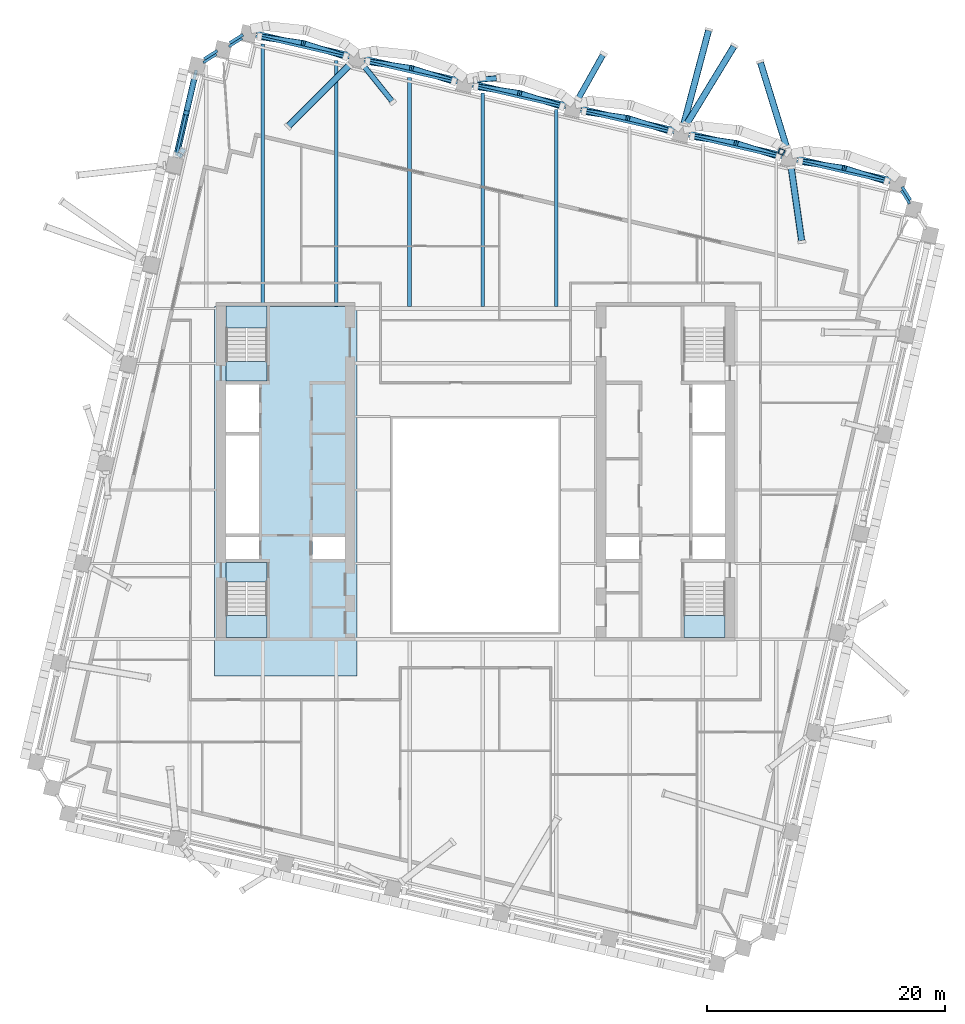
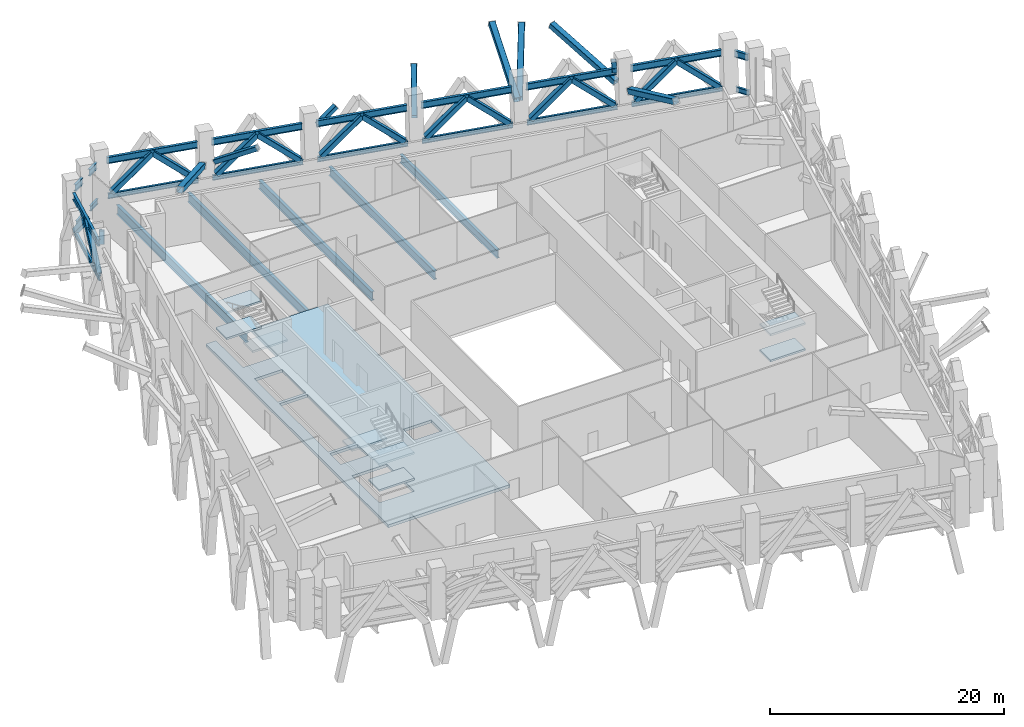
# One storey, part 4 of 20: 25 beams, 24 members, 9 slabs, 3 elements without a shape of their own.
"""IFC4 building model written with IfcOpenShell, lengths in metres."""

from ifc_helpers import new_model, si_unit, direction, frame, origin, origin_2d, place, context, subcontext, project, spatial, polyline, hollow_rectangle, i_section, outline, extrude, material, layer, layer_set, material_profile, profile_set, type_object, element, aggregate, save


model = new_model("IFC4")

# Units and contexts
model_context = context("Model", 3, precision=1e-05, world=origin(), true_north=direction((0.0, 1.0)))
body_context = subcontext(model_context, "Body", "Model", "MODEL_VIEW")
ifc_project = project(units=[si_unit("LENGTHUNIT", "METRE"), si_unit("AREAUNIT", "SQUARE_METRE"), si_unit("VOLUMEUNIT", "CUBIC_METRE"), si_unit("PLANEANGLEUNIT", "RADIAN"), si_unit("MASSUNIT", "GRAM", prefix="KILO")], contexts=[model_context])

# Site, building, storey
site_placement = place(None, origin())
site = spatial("IfcSite", under=ifc_project, at=site_placement, CompositionType="ELEMENT")
building_placement = place(site_placement, origin())
building = spatial("IfcBuilding", under=site, at=building_placement, Name="Ogive Exchange Tower", CompositionType="ELEMENT")
storey_placement = place(building_placement, frame((0.0, 0.0, 160.199951171875)))
storey = spatial("IfcBuildingStorey", under=building, at=storey_placement, Name="L35", CompositionType="ELEMENT", Elevation=160.199951171875)

# Beams
ifc_material_1 = material(Name="Steel ASTM A992 Gr50", Category="steel")
ifc_material_profile_1 = material_profile(ifc_material_1, i_section(OverallWidth=0.2099609375, OverallDepth=0.535888671875, WebThickness=0.010986328125, FlangeThickness=0.017333984375, at=origin_2d()), Name="W530x101")
ifc_profile_set_1 = profile_set([ifc_material_profile_1], Name="Steel ASTM A992 Gr50")
beam_type_1 = type_object("IfcBeamType", Name="Belt truss bottom chord W530x101", PredefinedType="BEAM", material=ifc_profile_set_1)
beam_1_placement = place(storey_placement, frame((36.55029296875, 34.06787109375, 0.400146484375), z_axis=(-0.529931776808, 0.848040277303, 0.0), x_axis=(-0.848040277303, -0.529931776808, 0.0)))
element("IfcBeam", 1, at=beam_1_placement, inside=storey, type_object=beam_type_1, Name="Belt truss bottom chord 17", PredefinedType="BEAM", context=body_context, shape_type="SweptSolid", body=[
    extrude(i_section(OverallWidth=0.2099609375, OverallDepth=0.535888671875, WebThickness=0.010986328125, FlangeThickness=0.017333984375, at=origin_2d()), origin(), (0.0, 0.0, 1.0), 1.30712890625),
])
for number, where, z_axis, x_axis, name in (
    (2, (34.915771484375, 35.84326171875, 0.400146484375), (-0.974371864918, 0.224943256972, 0.0), (-0.224943256972, -0.974371864918, 0.0), "Belt truss bottom chord 18"),
    (3, (25.805419921875, 37.946533203125, 0.400146484375), (-0.974371864918, 0.224943256972, 0.0), (-0.224943256972, -0.974371864918, 0.0), "Belt truss bottom chord 19"),
    (4, (16.695068359375, 40.0498046875, 0.400146484375), (-0.974371864918, 0.224943256972, 0.0), (-0.224943256972, -0.974371864918, 0.0), "Belt truss bottom chord 20"),
    (5, (7.584716796875, 42.153076171875, 0.400146484375), (-0.974371864918, 0.224943256972, 0.0), (-0.224943256972, -0.974371864918, 0.0), "Belt truss bottom chord 21"),
):
    element("IfcBeam", number, at=place(storey_placement, frame(where, z_axis=z_axis, x_axis=x_axis)), inside=storey, type_object=beam_type_1, Name=name, PredefinedType="BEAM", context=body_context, shape_type="SweptSolid", body=[
        extrude(i_section(OverallWidth=0.2099609375, OverallDepth=0.535888671875, WebThickness=0.010986328125, FlangeThickness=0.017333984375, at=origin_2d()), origin(), (0.0, 0.0, 1.0), 8.090087890625),
    ])
beam_2_placement = place(storey_placement, frame((-1.52587890625, 44.25634765625, 0.400146484375), z_axis=(-0.974370337884, 0.224949871421, 0.0), x_axis=(-0.224949871421, -0.974370337884, 0.0)))
element("IfcBeam", 6, at=beam_2_placement, inside=storey, type_object=beam_type_1, Name="Belt truss bottom chord 22", PredefinedType="BEAM", context=body_context, shape_type="SweptSolid", body=[
    extrude(i_section(OverallWidth=0.2099609375, OverallDepth=0.535888671875, WebThickness=0.010986328125, FlangeThickness=0.017333984375, at=origin_2d()), origin(), (0.0, 0.0, 1.0), 8.08984375),
])
beam_3_placement = place(storey_placement, frame((-10.635986328125, 46.359619140625, 0.400146484375), z_axis=(-0.974371864918, 0.224943256972, 0.0), x_axis=(-0.224943256972, -0.974371864918, 0.0)))
element("IfcBeam", 7, at=beam_3_placement, inside=storey, type_object=beam_type_1, Name="Belt truss bottom chord 23", PredefinedType="BEAM", context=body_context, shape_type="SweptSolid", body=[
    extrude(i_section(OverallWidth=0.2099609375, OverallDepth=0.535888671875, WebThickness=0.010986328125, FlangeThickness=0.017333984375, at=origin_2d()), origin(), (0.0, 0.0, 1.0), 8.090087890625),
])
beam_4_placement = place(storey_placement, frame((-19.65771484375, 47.9931640625, 0.400146484375), z_axis=(-0.848008795128, -0.529982153837, 0.0), x_axis=(0.529982153837, -0.848008795128, 0.0)))
element("IfcBeam", 8, at=beam_4_placement, inside=storey, type_object=beam_type_1, Name="Belt truss bottom chord 24", PredefinedType="BEAM", context=body_context, shape_type="SweptSolid", body=[
    extrude(i_section(OverallWidth=0.2099609375, OverallDepth=0.535888671875, WebThickness=0.010986328125, FlangeThickness=0.017333984375, at=origin_2d()), origin(), (0.0, 0.0, 1.0), 1.307373046875),
])
beam_5_placement = place(storey_placement, frame((-21.816650390625, 46.64404296875, 0.400146484375), z_axis=(-0.848040277303, -0.529931776808, 0.0), x_axis=(0.529931776808, -0.848040277303, 0.0)))
element("IfcBeam", 9, at=beam_5_placement, inside=storey, type_object=beam_type_1, Name="Belt truss bottom chord 25", PredefinedType="BEAM", context=body_context, shape_type="SweptSolid", body=[
    extrude(i_section(OverallWidth=0.2099609375, OverallDepth=0.535888671875, WebThickness=0.010986328125, FlangeThickness=0.017333984375, at=origin_2d()), origin(), (0.0, 0.0, 1.0), 1.30712890625),
])
beam_6_placement = place(storey_placement, frame((-23.591796875, 45.009521484375, 0.400146484375), z_axis=(-0.224954345887, -0.974369304867, 0.0), x_axis=(0.974369304867, -0.224954345887, 0.0)))
element("IfcBeam", 10, at=beam_6_placement, inside=storey, type_object=beam_type_1, Name="Belt truss bottom chord 26", PredefinedType="BEAM", context=body_context, shape_type="SweptSolid", body=[
    extrude(i_section(OverallWidth=0.2099609375, OverallDepth=0.535888671875, WebThickness=0.010986328125, FlangeThickness=0.017333984375, at=origin_2d()), origin(), (0.0, 0.0, 1.0), 7.332275390625),
])

# Members
ifc_material_2 = material(Name="Steel ASTM A1085 Gr A", Category="steel")
ifc_material_profile_2 = material_profile(ifc_material_2, hollow_rectangle(XDim=0.508056640625, YDim=0.508056640625, WallThickness=0.022216796875, InnerFilletRadius=0.022216796875, OuterFilletRadius=0.04443359375, at=origin_2d()), Name="HSS508x508x22.2")
ifc_profile_set_2 = profile_set([ifc_material_profile_2], Name="Steel ASTM A1085 Gr A")
member_type_1 = type_object("IfcMemberType", Name="Belt truss diagonal HSS508x508x22.2", PredefinedType="BRACE", material=ifc_profile_set_2)
for number, where, z_axis, x_axis, name in (
    (11, (34.60205078125, 35.942138671875, 0.6845703125), (-0.721406309788, 0.22759093673, 0.654045336132), (-0.300864996704, -0.953666741456, 0.0), "Belt truss diagonal 18a"),
    (12, (27.3583984375, 37.614501953125, 0.6845703125), (0.748159186243, -0.111691424361, 0.654051112502), (0.147652021529, 0.989039372593, 0.0), "Belt truss diagonal 18b"),
    (13, (25.49169921875, 38.04541015625, 0.6845703125), (-0.721406309788, 0.22759093673, 0.654045336132), (-0.300864996704, -0.953666741456, 0.0), "Belt truss diagonal 19a"),
    (14, (18.247802734375, 39.7177734375, 0.6845703125), (0.74818099125, -0.111687285533, 0.65402687604), (0.147642460205, 0.989040799939, 0.0), "Belt truss diagonal 19b"),
    (15, (16.38134765625, 40.148681640625, 0.6845703125), (-0.721406309788, 0.22759093673, 0.654045336132), (-0.300864996704, -0.953666741456, 0.0), "Belt truss diagonal 20a"),
    (16, (9.137451171875, 41.821044921875, 0.6845703125), (0.74818099125, -0.111687285533, 0.65402687604), (0.147642460205, 0.989040799939, 0.0), "Belt truss diagonal 20b"),
    (17, (7.27099609375, 42.251953125, 0.6845703125), (-0.721406309788, 0.22759093673, 0.654045336132), (-0.300864996704, -0.953666741456, 0.0), "Belt truss diagonal 21a"),
    (18, (0.027099609375, 43.92431640625, 0.6845703125), (0.74818099125, -0.111687285533, 0.65402687604), (0.147642460205, 0.989040799939, 0.0), "Belt truss diagonal 21b"),
    (19, (-1.83935546875, 44.355224609375, 0.6845703125), (-0.721406309788, 0.22759093673, 0.654045336132), (-0.300864996704, -0.953666741456, 0.0), "Belt truss diagonal 22a"),
    (20, (-9.083251953125, 46.027587890625, 0.6845703125), (0.74818099125, -0.111687285533, 0.65402687604), (0.147642460205, 0.989040799939, 0.0), "Belt truss diagonal 22b"),
    (21, (-10.94970703125, 46.45849609375, 0.6845703125), (-0.721406309788, 0.22759093673, 0.654045336132), (-0.300864996704, -0.953666741456, 0.0), "Belt truss diagonal 23a"),
    (22, (-18.193603515625, 48.131103515625, 0.6845703125), (0.748176851632, -0.111736196033, 0.654023257368), (0.147706505443, 0.989031237247, 0.0), "Belt truss diagonal 23b"),
):
    element("IfcMember", number, at=place(storey_placement, frame(where, z_axis=z_axis, x_axis=x_axis)), inside=storey, type_object=member_type_1, Name=name, PredefinedType="BRACE", context=body_context, shape_type="SweptSolid", body=[
        extrude(hollow_rectangle(XDim=0.508056640625, YDim=0.508056640625, WallThickness=0.022216796875, InnerFilletRadius=0.022216796875, OuterFilletRadius=0.04443359375, at=origin_2d()), origin(), (0.0, 0.0, 1.0), 4.92919921875),
    ])
member_1_placement = place(storey_placement, frame((-23.65380859375, 44.74169921875, 0.68603515625), z_axis=(-0.155834404607, -0.674972791062, 0.721198564659), x_axis=(0.97436859116, -0.224957437221, 0.0)))
element("IfcMember", 23, at=member_1_placement, inside=storey, type_object=member_type_1, Name="Belt truss diagonal 26a", PredefinedType="BRACE", context=body_context, shape_type="SweptSolid", body=[
    extrude(hollow_rectangle(XDim=0.508056640625, YDim=0.508056640625, WallThickness=0.022216796875, InnerFilletRadius=0.022216796875, OuterFilletRadius=0.04443359375, at=origin_2d()), origin(), (0.0, 0.0, 1.0), 4.468017578125),
])
member_2_placement = place(storey_placement, frame((-25.1689453125, 38.17822265625, 0.6845703125), z_axis=(0.168380940888, 0.729500134778, 0.66293092559), x_axis=(-0.974381023383, 0.224903582164, 0.0)))
element("IfcMember", 24, at=member_2_placement, inside=storey, type_object=member_type_1, Name="Belt truss diagonal 26b", PredefinedType="BRACE", context=body_context, shape_type="SweptSolid", body=[
    extrude(hollow_rectangle(XDim=0.508056640625, YDim=0.508056640625, WallThickness=0.022216796875, InnerFilletRadius=0.022216796875, OuterFilletRadius=0.04443359375, at=origin_2d()), origin(), (0.0, 0.0, 1.0), 4.863037109375),
])

# Beams
ifc_material_profile_3 = material_profile(ifc_material_1, i_section(OverallWidth=0.25390625, OverallDepth=0.68310546875, WebThickness=0.012451171875, FlangeThickness=0.018798828125, at=origin_2d()), Name="W690x140")
ifc_profile_set_3 = profile_set([ifc_material_profile_3], Name="Steel ASTM A992 Gr50")
beam_type_2 = type_object("IfcBeamType", Name="Belt truss top chord W690x140", PredefinedType="BEAM", material=ifc_profile_set_3)
beam_7_placement = place(storey_placement, frame((36.6220703125, 34.378662109375, 3.908447265625), z_axis=(-0.529931776808, 0.848040277303, 0.0), x_axis=(-0.848040277303, -0.529931776808, 0.0)))
element("IfcBeam", 25, at=beam_7_placement, inside=storey, type_object=beam_type_2, Name="Belt truss top chord 17", PredefinedType="BEAM", context=body_context, shape_type="SweptSolid", body=[
    extrude(i_section(OverallWidth=0.25390625, OverallDepth=0.68310546875, WebThickness=0.012451171875, FlangeThickness=0.018798828125, at=origin_2d()), origin(), (0.0, 0.0, 1.0), 1.30712890625),
])
beam_8_placement = place(storey_placement, frame((34.9873046875, 36.154052734375, 3.908447265625), z_axis=(-0.974370337884, 0.224949871421, 0.0), x_axis=(-0.224949871421, -0.974370337884, 0.0)))
element("IfcBeam", 26, at=beam_8_placement, inside=storey, type_object=beam_type_2, Name="Belt truss top chord 18", PredefinedType="BEAM", context=body_context, shape_type="SweptSolid", body=[
    extrude(i_section(OverallWidth=0.25390625, OverallDepth=0.68310546875, WebThickness=0.012451171875, FlangeThickness=0.018798828125, at=origin_2d()), origin(), (0.0, 0.0, 1.0), 8.08984375),
])
beam_9_placement = place(storey_placement, frame((25.877197265625, 38.25732421875, 3.908447265625), z_axis=(-0.974371864918, 0.224943256972, 0.0), x_axis=(-0.224943256972, -0.974371864918, 0.0)))
element("IfcBeam", 27, at=beam_9_placement, inside=storey, type_object=beam_type_2, Name="Belt truss top chord 19", PredefinedType="BEAM", context=body_context, shape_type="SweptSolid", body=[
    extrude(i_section(OverallWidth=0.25390625, OverallDepth=0.68310546875, WebThickness=0.012451171875, FlangeThickness=0.018798828125, at=origin_2d()), origin(), (0.0, 0.0, 1.0), 8.090087890625),
])
for number, where, z_axis, x_axis, name in (
    (28, (16.7666015625, 40.360595703125, 3.908447265625), (-0.974370337884, 0.224949871421, 0.0), (-0.224949871421, -0.974370337884, 0.0), "Belt truss top chord 20"),
    (29, (7.65625, 42.4638671875, 3.908447265625), (-0.974370337884, 0.224949871421, 0.0), (-0.224949871421, -0.974370337884, 0.0), "Belt truss top chord 21"),
    (30, (-1.4541015625, 44.567138671875, 3.908447265625), (-0.974370337884, 0.224949871421, 0.0), (-0.224949871421, -0.974370337884, 0.0), "Belt truss top chord 22"),
    (31, (-10.564453125, 46.67041015625, 3.908447265625), (-0.974370337884, 0.224949871421, 0.0), (-0.224949871421, -0.974370337884, 0.0), "Belt truss top chord 23"),
):
    element("IfcBeam", number, at=place(storey_placement, frame(where, z_axis=z_axis, x_axis=x_axis)), inside=storey, type_object=beam_type_2, Name=name, PredefinedType="BEAM", context=body_context, shape_type="SweptSolid", body=[
        extrude(i_section(OverallWidth=0.25390625, OverallDepth=0.68310546875, WebThickness=0.012451171875, FlangeThickness=0.018798828125, at=origin_2d()), origin(), (0.0, 0.0, 1.0), 8.08984375),
    ])
beam_10_placement = place(storey_placement, frame((-19.5859375, 48.303955078125, 3.908447265625), z_axis=(-0.848008795128, -0.529982153837, 0.0), x_axis=(0.529982153837, -0.848008795128, 0.0)))
element("IfcBeam", 32, at=beam_10_placement, inside=storey, type_object=beam_type_2, Name="Belt truss top chord 24", PredefinedType="BEAM", context=body_context, shape_type="SweptSolid", body=[
    extrude(i_section(OverallWidth=0.25390625, OverallDepth=0.68310546875, WebThickness=0.012451171875, FlangeThickness=0.018798828125, at=origin_2d()), origin(), (0.0, 0.0, 1.0), 1.307373046875),
])
beam_11_placement = place(storey_placement, frame((-21.744873046875, 46.954833984375, 3.908447265625), z_axis=(-0.848040277303, -0.529931776808, 0.0), x_axis=(0.529931776808, -0.848040277303, 0.0)))
element("IfcBeam", 33, at=beam_11_placement, inside=storey, type_object=beam_type_2, Name="Belt truss top chord 25", PredefinedType="BEAM", context=body_context, shape_type="SweptSolid", body=[
    extrude(i_section(OverallWidth=0.25390625, OverallDepth=0.68310546875, WebThickness=0.012451171875, FlangeThickness=0.018798828125, at=origin_2d()), origin(), (0.0, 0.0, 1.0), 1.30712890625),
])
beam_12_placement = place(storey_placement, frame((-23.520263671875, 45.3203125, 3.908447265625), z_axis=(-0.224922342737, -0.974376692936, 0.0), x_axis=(0.974376692936, -0.224922342737, 0.0)))
element("IfcBeam", 34, at=beam_12_placement, inside=storey, type_object=beam_type_2, Name="Belt truss top chord 26", PredefinedType="BEAM", context=body_context, shape_type="SweptSolid", body=[
    extrude(i_section(OverallWidth=0.25390625, OverallDepth=0.68310546875, WebThickness=0.012451171875, FlangeThickness=0.018798828125, at=origin_2d()), origin(), (0.0, 0.0, 1.0), 7.377685546875),
])

# Members
ifc_material_profile_4 = material_profile(ifc_material_2, hollow_rectangle(XDim=0.45703125, YDim=0.45703125, WallThickness=0.01904296875, InnerFilletRadius=0.01904296875, OuterFilletRadius=0.0380859375, at=origin_2d()), Name="HSS457.2x457.2x19")
ifc_profile_set_4 = profile_set([ifc_material_profile_4], Name="Steel ASTM A1085 Gr A")
member_type_2 = type_object("IfcMemberType", Name="Block-change strut HSS457.2x457.2x19", PredefinedType="STRUT", material=ifc_profile_set_4)
member_3_placement = place(storey_placement, frame((25.7880859375, 38.420654296875, 3.7607421875), z_axis=(-0.056565842849, 0.026058421987, 0.998058747803), x_axis=(-0.418410915525, -0.908257841017, 0.0)))
element("IfcMember", 35, at=member_3_placement, inside=storey, type_object=member_type_2, Name="Block-change strut 14", PredefinedType="STRUT", context=body_context, shape_type="SweptSolid", body=[
    extrude(hollow_rectangle(XDim=0.45703125, YDim=0.45703125, WallThickness=0.01904296875, InnerFilletRadius=0.01904296875, OuterFilletRadius=0.0380859375, at=origin_2d()), origin(), (0.0, 0.0, 1.0), 1.15234375),
])
member_4_placement = place(storey_placement, frame((-0.008056640625, 44.472900390625, 3.557861328125), z_axis=(0.846130521507, 0.080128875256, 0.526917929022), x_axis=(-0.094278563089, 0.995545856574, 0.0)))
element("IfcMember", 36, at=member_4_placement, inside=storey, type_object=member_type_2, Name="Block-change strut 18", PredefinedType="STRUT", context=body_context, shape_type="SweptSolid", body=[
    extrude(hollow_rectangle(XDim=0.45703125, YDim=0.45703125, WallThickness=0.01904296875, InnerFilletRadius=0.01904296875, OuterFilletRadius=0.0380859375, at=origin_2d()), origin(), (0.0, 0.0, 1.0), 2.24853515625),
])
member_5_placement = place(storey_placement, frame((-9.398193359375, 45.662109375, 2.367919921875), z_axis=(0.533845881604, -0.666222952456, 0.520725985827), x_axis=(0.780372876046, 0.625314460357, 0.0)))
element("IfcMember", 37, at=member_5_placement, inside=storey, type_object=member_type_2, Name="Block-change strut 19", PredefinedType="STRUT", context=body_context, shape_type="SweptSolid", body=[
    extrude(hollow_rectangle(XDim=0.45703125, YDim=0.45703125, WallThickness=0.01904296875, InnerFilletRadius=0.01904296875, OuterFilletRadius=0.0380859375, at=origin_2d()), origin(), (0.0, 0.0, 1.0), 4.55908203125),
])
member_6_placement = place(storey_placement, frame((-24.878662109375, 38.206787109375, 3.70654296875), z_axis=(0.157716574294, 0.24963355084, 0.955410159297), x_axis=(-0.845407429732, 0.534121968987, 0.0)))
element("IfcMember", 38, at=member_6_placement, inside=storey, type_object=member_type_2, Name="Block-change strut 21", PredefinedType="STRUT", context=body_context, shape_type="SweptSolid", body=[
    extrude(hollow_rectangle(XDim=0.45703125, YDim=0.45703125, WallThickness=0.01904296875, InnerFilletRadius=0.01904296875, OuterFilletRadius=0.0380859375, at=origin_2d()), origin(), (0.0, 0.0, 1.0), 1.205810546875),
])
ifc_material_profile_5 = material_profile(ifc_material_2, hollow_rectangle(XDim=0.508056640625, YDim=0.508056640625, WallThickness=0.01904296875, InnerFilletRadius=0.01904296875, OuterFilletRadius=0.0380859375, at=origin_2d()), Name="HSS508x508x19")
ifc_profile_set_5 = profile_set([ifc_material_profile_5], Name="Steel ASTM A1085 Gr A")
member_type_3 = type_object("IfcMemberType", Name="Block-change strut HSS508x508x19", PredefinedType="STRUT", material=ifc_profile_set_5)
member_7_placement = place(storey_placement, frame((8.64453125, 42.904296875, 2.33935546875), z_axis=(0.430201227387, 0.764220658499, 0.480513984269), x_axis=(-0.871416112759, 0.490544552944, 0.0)))
element("IfcMember", 39, at=member_7_placement, inside=storey, type_object=member_type_3, Name="Block-change strut 17", PredefinedType="STRUT", context=body_context, shape_type="SweptSolid", body=[
    extrude(hollow_rectangle(XDim=0.508056640625, YDim=0.508056640625, WallThickness=0.01904296875, InnerFilletRadius=0.01904296875, OuterFilletRadius=0.0380859375, at=origin_2d()), origin(), (0.0, 0.0, 1.0), 4.944580078125),
])
ifc_material_profile_6 = material_profile(ifc_material_2, hollow_rectangle(XDim=0.55908203125, YDim=0.55908203125, WallThickness=0.022216796875, InnerFilletRadius=0.022216796875, OuterFilletRadius=0.04443359375, at=origin_2d()), Name="HSS558.8x558.8x22.2")
ifc_profile_set_6 = profile_set([ifc_material_profile_6], Name="Steel ASTM A1085 Gr A")
member_type_4 = type_object("IfcMemberType", Name="Block-change strut HSS558.8x558.8x22.2", PredefinedType="STRUT", material=ifc_profile_set_6)
member_8_placement = place(storey_placement, frame((26.580078125, 37.11669921875, 2.29736328125), z_axis=(0.132447330076, -0.926044786082, 0.353410185091), x_axis=(0.98992625078, 0.141583961012, 0.0)))
element("IfcMember", 40, at=member_8_placement, inside=storey, type_object=member_type_4, Name="Block-change strut 13", PredefinedType="STRUT", context=body_context, shape_type="SweptSolid", body=[
    extrude(hollow_rectangle(XDim=0.55908203125, YDim=0.55908203125, WallThickness=0.022216796875, InnerFilletRadius=0.022216796875, OuterFilletRadius=0.04443359375, at=origin_2d()), origin(), (0.0, 0.0, 1.0), 6.740966796875),
])
member_9_placement = place(storey_placement, frame((26.18896484375, 38.843505859375, 2.291259765625), z_axis=(-0.280821392074, 0.910897560756, 0.302332564508), x_axis=(-0.955618091142, -0.294608322832, 0.0)))
element("IfcMember", 41, at=member_9_placement, inside=storey, type_object=member_type_4, Name="Block-change strut 15", PredefinedType="STRUT", context=body_context, shape_type="SweptSolid", body=[
    extrude(hollow_rectangle(XDim=0.55908203125, YDim=0.55908203125, WallThickness=0.022216796875, InnerFilletRadius=0.022216796875, OuterFilletRadius=0.04443359375, at=origin_2d()), origin(), (0.0, 0.0, 1.0), 7.887939453125),
])
member_10_placement = place(storey_placement, frame((17.525390625, 40.74609375, 2.288330078125), z_axis=(0.246436801349, 0.928534096702, 0.277656864137), x_axis=(-0.966538070079, 0.256523213545, 0.0)))
element("IfcMember", 42, at=member_10_placement, inside=storey, type_object=member_type_4, Name="Block-change strut 16", PredefinedType="STRUT", context=body_context, shape_type="SweptSolid", body=[
    extrude(hollow_rectangle(XDim=0.55908203125, YDim=0.55908203125, WallThickness=0.022216796875, InnerFilletRadius=0.022216796875, OuterFilletRadius=0.04443359375, at=origin_2d()), origin(), (0.0, 0.0, 1.0), 8.59423828125),
])
member_11_placement = place(storey_placement, frame((-10.634521484375, 45.735107421875, 2.292236328125), z_axis=(-0.672742722173, -0.671566431794, 0.310508868554), x_axis=(0.70648778184, -0.707725239136, 0.0)))
element("IfcMember", 43, at=member_11_placement, inside=storey, type_object=member_type_4, Name="Block-change strut 20", PredefinedType="STRUT", context=body_context, shape_type="SweptSolid", body=[
    extrude(hollow_rectangle(XDim=0.55908203125, YDim=0.55908203125, WallThickness=0.022216796875, InnerFilletRadius=0.022216796875, OuterFilletRadius=0.04443359375, at=origin_2d()), origin(), (0.0, 0.0, 1.0), 7.679443359375),
])
member_12_placement = place(storey_placement, frame((17.787109375, 40.796875, 2.29052734375), z_axis=(0.496844659158, 0.815940032251, 0.295613342793), x_axis=(-0.854112297697, 0.520088629873, 0.0)))
element("IfcMember", 44, at=member_12_placement, inside=storey, type_object=member_type_4, Name="Block-change strut 32", PredefinedType="STRUT", context=body_context, shape_type="SweptSolid", body=[
    extrude(hollow_rectangle(XDim=0.55908203125, YDim=0.55908203125, WallThickness=0.022216796875, InnerFilletRadius=0.022216796875, OuterFilletRadius=0.04443359375, at=origin_2d()), origin(), (0.0, 0.0, 1.0), 8.068115234375),
])

# Beams
ifc_material_profile_7 = material_profile(ifc_material_1, i_section(OverallWidth=0.300048828125, OverallDepth=0.97998046875, WebThickness=0.0166015625, FlangeThickness=0.026123046875, at=origin_2d()), Name="W1000x249")
ifc_profile_set_7 = profile_set([ifc_material_profile_7], Name="Steel ASTM A992 Gr50")
beam_type_3 = type_object("IfcBeamType", Name="Floor beam W1000x249", PredefinedType="JOIST", material=ifc_profile_set_7)
beam_13_placement = place(storey_placement, frame((-17.910400390625, 25.39990234375, -0.7900390625), z_axis=(0.0, 1.0, 0.0), x_axis=(-1.0, 0.0, 0.0)))
element("IfcBeam", 45, at=beam_13_placement, inside=storey, type_object=beam_type_3, Name="Floor beam", PredefinedType="JOIST", context=body_context, shape_type="SweptSolid", body=[
    extrude(i_section(OverallWidth=0.300048828125, OverallDepth=0.97998046875, WebThickness=0.0166015625, FlangeThickness=0.026123046875, at=origin_2d()), origin(), (0.0, 0.0, 1.0), 22.139892578125),
])
beam_14_placement = place(storey_placement, frame((-11.733642578125, 25.39990234375, -0.7900390625), z_axis=(0.0, 1.0, 0.0), x_axis=(-1.0, 0.0, 0.0)))
element("IfcBeam", 46, at=beam_14_placement, inside=storey, type_object=beam_type_3, Name="Floor beam", PredefinedType="JOIST", context=body_context, shape_type="SweptSolid", body=[
    extrude(i_section(OverallWidth=0.300048828125, OverallDepth=0.97998046875, WebThickness=0.0166015625, FlangeThickness=0.026123046875, at=origin_2d()), origin(), (0.0, 0.0, 1.0), 20.714111328125),
])
ifc_material_profile_8 = material_profile(ifc_material_1, i_section(OverallWidth=0.2919921875, OverallDepth=0.8359375, WebThickness=0.013916015625, FlangeThickness=0.018798828125, at=origin_2d()), Name="W840x176")
ifc_profile_set_8 = profile_set([ifc_material_profile_8], Name="Steel ASTM A992 Gr50")
beam_type_4 = type_object("IfcBeamType", Name="Floor beam W840x176", PredefinedType="JOIST", material=ifc_profile_set_8)
beam_15_placement = place(storey_placement, frame((6.79638671875, 25.39501953125, -0.718017578125), z_axis=(0.0, 1.0, 0.0), x_axis=(-1.0, 0.0, 0.0)))
element("IfcBeam", 47, at=beam_15_placement, inside=storey, type_object=beam_type_4, Name="Floor beam", PredefinedType="JOIST", context=body_context, shape_type="SweptSolid", body=[
    extrude(i_section(OverallWidth=0.2919921875, OverallDepth=0.8359375, WebThickness=0.013916015625, FlangeThickness=0.018798828125, at=origin_2d()), origin(), (0.0, 0.0, 1.0), 16.5908203125),
])
ifc_material_profile_9 = material_profile(ifc_material_1, i_section(OverallWidth=0.304931640625, OverallDepth=0.904052734375, WebThickness=0.01513671875, FlangeThickness=0.02001953125, at=origin_2d()), Name="W920x201")
ifc_profile_set_9 = profile_set([ifc_material_profile_9], Name="Steel ASTM A992 Gr50")
beam_type_5 = type_object("IfcBeamType", Name="Floor beam W920x201", PredefinedType="JOIST", material=ifc_profile_set_9)
beam_16_placement = place(storey_placement, frame((0.61962890625, 25.39501953125, -0.751953125), z_axis=(0.0, 1.0, 0.0), x_axis=(-1.0, 0.0, 0.0)))
element("IfcBeam", 48, at=beam_16_placement, inside=storey, type_object=beam_type_5, Name="Floor beam", PredefinedType="JOIST", context=body_context, shape_type="SweptSolid", body=[
    extrude(i_section(OverallWidth=0.304931640625, OverallDepth=0.904052734375, WebThickness=0.01513671875, FlangeThickness=0.02001953125, at=origin_2d()), origin(), (0.0, 0.0, 1.0), 18.016845703125),
])
ifc_material_profile_10 = material_profile(ifc_material_1, i_section(OverallWidth=0.304931640625, OverallDepth=0.9189453125, WebThickness=0.017333984375, FlangeThickness=0.02783203125, at=origin_2d()), Name="W920x253")
ifc_profile_set_10 = profile_set([ifc_material_profile_10], Name="Steel ASTM A992 Gr50")
beam_type_6 = type_object("IfcBeamType", Name="Floor beam W920x253", PredefinedType="JOIST", material=ifc_profile_set_10)
beam_17_placement = place(storey_placement, frame((-5.556884765625, 25.39501953125, -0.759521484375), z_axis=(0.0, 1.0, 0.0), x_axis=(-1.0, 0.0, 0.0)))
element("IfcBeam", 49, at=beam_17_placement, inside=storey, type_object=beam_type_6, Name="Floor beam", PredefinedType="JOIST", context=body_context, shape_type="SweptSolid", body=[
    extrude(i_section(OverallWidth=0.304931640625, OverallDepth=0.9189453125, WebThickness=0.017333984375, FlangeThickness=0.02783203125, at=origin_2d()), origin(), (0.0, 0.0, 1.0), 19.29296875),
])

# Slab
ifc_material_3 = material(Name="Concrete C70/85", Category="concrete")
ifc_layer_1 = layer(ifc_material_3, 0.300048828125)
ifc_layer_set_1 = layer_set([ifc_layer_1], Name="Core floor slab 300")
slab_type_1 = type_object("IfcSlabType", Name="Core floor slab 300", PredefinedType="FLOOR", material=ifc_layer_set_1)
slab_1_placement = place(storey_placement, frame((0.0, 0.0, -0.300048828125)))
element("IfcSlab", 50, at=slab_1_placement, inside=storey, type_object=slab_type_1, Name="Core floor slab", PredefinedType="FLOOR", context=body_context, shape_type="SweptSolid", body=[
    extrude(outline(polyline([(-10.0, 25.39990234375), (-10.0, -5.699951171875), (-22.0, -5.699951171875), (-22.0, 25.39990234375), (-21.0, 25.39990234375), (-21.0, 20.803955078125), (-17.550048828125, 20.803955078125), (-17.550048828125, 25.39990234375), (-10.0, 25.39990234375)]), holes=[polyline([(-17.550048828125, 2.196044921875), (-21.0, 2.196044921875), (-21.0, -2.449951171875), (-17.550048828125, -2.449951171875), (-17.550048828125, 2.196044921875)]), polyline([(-18.25, 5.992919921875), (-21.0, 5.992919921875), (-21.0, 4.14990234375), (-18.25, 4.14990234375), (-18.25, 5.992919921875)]), polyline([(-11.0, 5.992919921875), (-13.75, 5.992919921875), (-13.75, 4.14990234375), (-11.0, 4.14990234375), (-11.0, 5.992919921875)]), polyline([(-21.0, 14.564208984375), (-21.0, 6.29296875), (-18.25, 6.29296875), (-18.25, 14.564208984375), (-21.0, 14.564208984375)]), polyline([(-18.25, 18.85009765625), (-21.0, 18.85009765625), (-21.0, 14.8642578125), (-18.25, 14.8642578125), (-18.25, 18.85009765625)])]), origin(), (0.0, 0.0, 1.0), 0.300048828125),
])

# Stair, slabs
ifc_material_4 = material(Name="Concrete C40/50", Category="concrete")
stair_type = type_object("IfcStairType", Name="Exit stair 1650 wide", PredefinedType="HALF_TURN_STAIR", material=ifc_material_4)
stair_1_placement = place(storey_placement, origin())
stair_1 = element("IfcStair", 51, at=stair_1_placement, inside=storey, type_object=stair_type, Name="L35 exit stair ST1", PredefinedType="HALF_TURN_STAIR")
ifc_layer_2 = layer(ifc_material_4, 0.199951171875)
ifc_layer_set_2 = layer_set([ifc_layer_2], Name="Stair landing 200 slab")
slab_type_2 = type_object("IfcSlabType", Name="Stair landing 200 slab", PredefinedType="LANDING", material=ifc_layer_set_2)
slab_2_placement = place(storey_placement, frame((0.0, 0.0, 1.150146484375)))
slab_2 = element("IfcSlab", 52, at=slab_2_placement, type_object=slab_type_2, Name="ST1 landing 1", PredefinedType="LANDING", context=body_context, shape_type="SweptSolid", body=[
    extrude(outline(polyline([(-21.0, -0.60791015625), (-21.0, -2.449951171875), (-17.550048828125, -2.449951171875), (-17.550048828125, -0.60791015625), (-21.0, -0.60791015625)])), origin(), (0.0, 0.0, 1.0), 0.199951171875),
])
slab_3_placement = place(storey_placement, frame((0.0, 0.0, 2.5)))
slab_3 = element("IfcSlab", 53, at=slab_3_placement, type_object=slab_type_2, Name="ST1 landing 2", PredefinedType="LANDING", context=body_context, shape_type="SweptSolid", body=[
    extrude(outline(polyline([(-21.0, 3.85009765625), (-21.0, 2.199951171875), (-17.550048828125, 2.199951171875), (-17.550048828125, 3.85009765625), (-21.0, 3.85009765625)])), origin(), (0.0, 0.0, 1.0), 0.199951171875),
])
slab_4_placement = place(storey_placement, frame((0.0, 0.0, 3.85009765625)))
slab_4 = element("IfcSlab", 54, at=slab_4_placement, type_object=slab_type_2, Name="ST1 landing 3", PredefinedType="LANDING", context=body_context, shape_type="SweptSolid", body=[
    extrude(outline(polyline([(-21.0, -0.60791015625), (-21.0, -2.449951171875), (-17.550048828125, -2.449951171875), (-17.550048828125, -0.60791015625), (-21.0, -0.60791015625)])), origin(), (0.0, 0.0, 1.0), 0.199951171875),
])
aggregate(stair_1, [slab_2, slab_3, slab_4])

stair_2_placement = place(storey_placement, origin())
stair_2 = element("IfcStair", 55, at=stair_2_placement, inside=storey, type_object=stair_type, Name="L35 exit stair ST2", PredefinedType="HALF_TURN_STAIR")
slab_5_placement = place(storey_placement, frame((0.0, 0.0, 1.150146484375)))
slab_5 = element("IfcSlab", 56, at=slab_5_placement, type_object=slab_type_2, Name="ST2 landing 1", PredefinedType="LANDING", context=body_context, shape_type="SweptSolid", body=[
    extrude(outline(polyline([(-17.550048828125, 23.60791015625), (-17.550048828125, 25.449951171875), (-21.0, 25.449951171875), (-21.0, 23.60791015625), (-17.550048828125, 23.60791015625)])), origin(), (0.0, 0.0, 1.0), 0.199951171875),
])
slab_6_placement = place(storey_placement, frame((0.0, 0.0, 2.5)))
slab_6 = element("IfcSlab", 57, at=slab_6_placement, type_object=slab_type_2, Name="ST2 landing 2", PredefinedType="LANDING", context=body_context, shape_type="SweptSolid", body=[
    extrude(outline(polyline([(-17.550048828125, 19.14990234375), (-17.550048828125, 20.800048828125), (-21.0, 20.800048828125), (-21.0, 19.14990234375), (-17.550048828125, 19.14990234375)])), origin(), (0.0, 0.0, 1.0), 0.199951171875),
])
slab_7_placement = place(storey_placement, frame((0.0, 0.0, 3.85009765625)))
slab_7 = element("IfcSlab", 58, at=slab_7_placement, type_object=slab_type_2, Name="ST2 landing 3", PredefinedType="LANDING", context=body_context, shape_type="SweptSolid", body=[
    extrude(outline(polyline([(-17.550048828125, 23.60791015625), (-17.550048828125, 25.449951171875), (-21.0, 25.449951171875), (-21.0, 23.60791015625), (-17.550048828125, 23.60791015625)])), origin(), (0.0, 0.0, 1.0), 0.199951171875),
])
aggregate(stair_2, [slab_5, slab_6, slab_7])

stair_3_placement = place(storey_placement, origin())
stair_3 = element("IfcStair", 59, at=stair_3_placement, inside=storey, type_object=stair_type, Name="L35 exit stair ST3", PredefinedType="HALF_TURN_STAIR")
slab_8_placement = place(storey_placement, frame((0.0, 0.0, 1.150146484375)))
slab_8 = element("IfcSlab", 60, at=slab_8_placement, type_object=slab_type_2, Name="ST3 landing 1", PredefinedType="LANDING", context=body_context, shape_type="SweptSolid", body=[
    extrude(outline(polyline([(17.550048828125, -0.60791015625), (17.550048828125, -2.449951171875), (21.0, -2.449951171875), (21.0, -0.60791015625), (17.550048828125, -0.60791015625)])), origin(), (0.0, 0.0, 1.0), 0.199951171875),
])
slab_9_placement = place(storey_placement, frame((0.0, 0.0, 3.85009765625)))
slab_9 = element("IfcSlab", 61, at=slab_9_placement, type_object=slab_type_2, Name="ST3 landing 3", PredefinedType="LANDING", context=body_context, shape_type="SweptSolid", body=[
    extrude(outline(polyline([(17.550048828125, -0.60791015625), (17.550048828125, -2.449951171875), (21.0, -2.449951171875), (21.0, -0.60791015625), (17.550048828125, -0.60791015625)])), origin(), (0.0, 0.0, 1.0), 0.199951171875),
])
aggregate(stair_3, [slab_8, slab_9])

save(model, "model.ifc")
